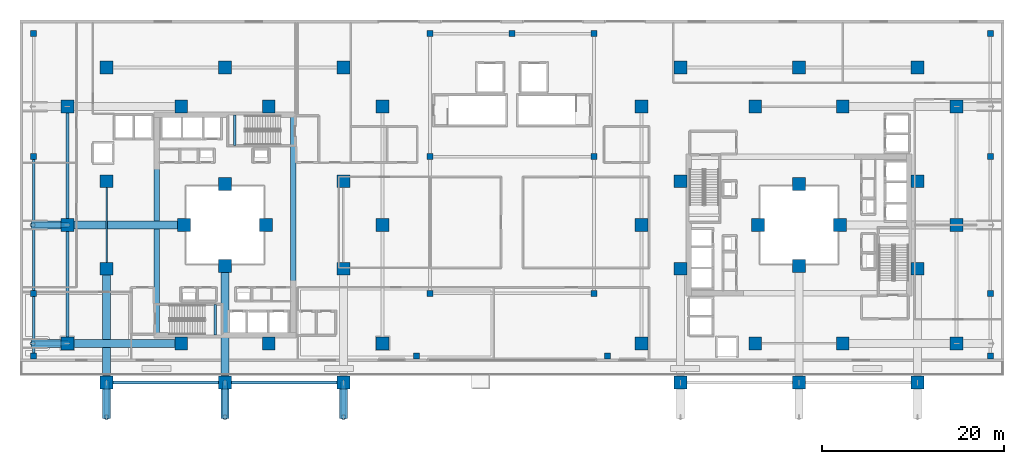
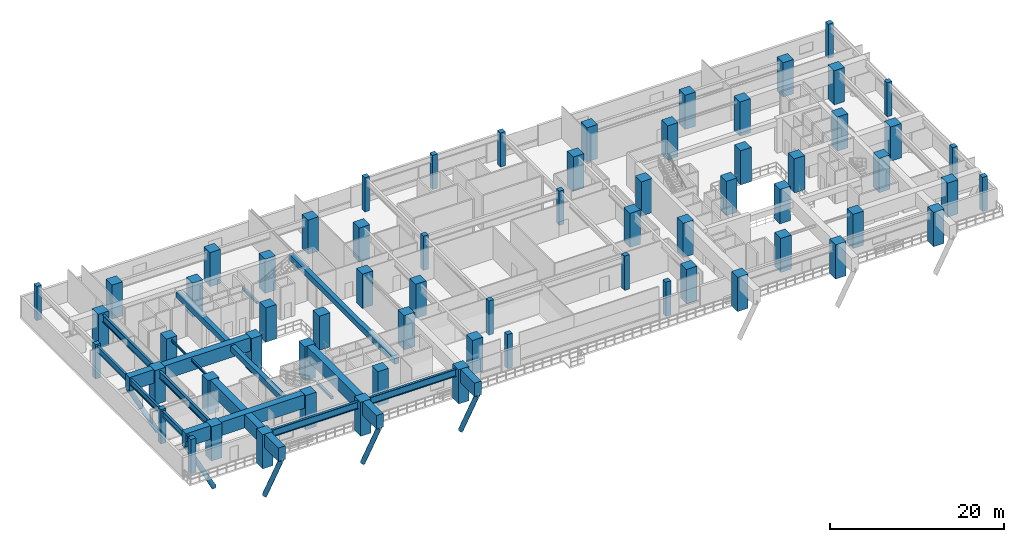
# One storey, part 1 of 25: 65 columns, 20 beams, 5 members.
"""IFC4 building model written with IfcOpenShell, lengths in metres."""

from ifc_helpers import new_model, si_unit, direction, frame, origin, origin_2d, place, context, subcontext, project, spatial, rectangle, hollow_circle, i_section, extrude, material, material_profile, profile_set, type_object, element, save


model = new_model("IFC4")

# Units and contexts
model_context = context("Model", 3, precision=1e-05, world=origin(), true_north=direction((0.0, 1.0)))
body_context = subcontext(model_context, "Body", "Model", "MODEL_VIEW")
ifc_project = project(units=[si_unit("LENGTHUNIT", "METRE"), si_unit("AREAUNIT", "SQUARE_METRE"), si_unit("VOLUMEUNIT", "CUBIC_METRE"), si_unit("PLANEANGLEUNIT", "RADIAN"), si_unit("MASSUNIT", "GRAM", prefix="KILO")], contexts=[model_context])

# Site, building, storey
site_placement = place(None, origin())
site = spatial("IfcSite", under=ifc_project, at=site_placement, CompositionType="ELEMENT")
building_placement = place(site_placement, origin())
building = spatial("IfcBuilding", under=site, at=building_placement, Name="Thornwick Lancets Civic Towers", CompositionType="ELEMENT")
storey_placement = place(building_placement, frame((0.0, 0.0, 23.10009765625)))
storey = spatial("IfcBuildingStorey", under=building, at=storey_placement, Name="L05", CompositionType="ELEMENT", Elevation=23.10009765625)

# Columns
ifc_material_1 = material(Name="Concrete C60/75", Category="concrete")
ifc_material_profile_1 = material_profile(ifc_material_1, rectangle(XDim=1.39990234375, YDim=1.39990234375, at=origin_2d()), Name="RC 1400x1400")
ifc_profile_set_1 = profile_set([ifc_material_profile_1], Name="Concrete C60/75")
column_type_1 = type_object("IfcColumnType", Name="COL_RC_1400", PredefinedType="COLUMN", material=ifc_profile_set_1)
for number, where, z_axis, x_axis, name in (
    (1, (12.5, 9.699951171875, 0.0), (0.0, 0.0, 1.0), (1.0, 0.0, 0.0), "L05 Spine Mega-Column A01"),
    (2, (25.5, 9.699951171875, 0.0), (0.0, 0.0, 1.0), (1.0, 0.0, 0.0), "L05 Spine Mega-Column A02"),
    (3, (38.5, 9.699951171875, 0.0), (0.0, 0.0, 1.0), (1.0, 0.0, 0.0), "L05 Spine Mega-Column A03"),
    (4, (42.800048828125, 14.0, 0.0), (0.0, 0.0, 1.0), (1.0, 0.0, 0.0), "L05 Spine Mega-Column A04"),
    (5, (42.800048828125, 27.0, 0.0), (0.0, 0.0, 1.0), (1.0, 0.0, 0.0), "L05 Spine Mega-Column A05"),
    (6, (42.800048828125, 40.0, 0.0), (0.0, 0.0, 1.0), (1.0, 0.0, 0.0), "L05 Spine Mega-Column A06"),
    (7, (12.5, 44.300048828125, 0.0), (0.0, 0.0, 1.0), (1.0, 0.0, 0.0), "L05 Spine Mega-Column A07"),
    (8, (25.5, 44.300048828125, 0.0), (0.0, 0.0, 1.0), (1.0, 0.0, 0.0), "L05 Spine Mega-Column A08"),
    (9, (38.5, 44.300048828125, 0.0), (0.0, 0.0, 1.0), (1.0, 0.0, 0.0), "L05 Spine Mega-Column A09"),
    (10, (8.199951171875, 14.0, 0.0), (0.0, 0.0, 1.0), (1.0, 0.0, 0.0), "L05 Spine Mega-Column A10"),
    (11, (8.199951171875, 27.0, 0.0), (0.0, 0.0, 1.0), (1.0, 0.0, 0.0), "L05 Spine Mega-Column A11"),
    (12, (8.199951171875, 40.0, 0.0), (0.0, 0.0, 1.0), (1.0, 0.0, 0.0), "L05 Spine Mega-Column A12"),
    (13, (12.5, 22.199951171875, 0.0), (0.0, 0.0, 1.0), (1.0, 0.0, 0.0), "L05 Spine Mega-Column A13"),
    (14, (38.5, 22.199951171875, 0.0), (0.0, 0.0, 1.0), (1.0, 0.0, 0.0), "L05 Spine Mega-Column A14"),
    (15, (12.5, 31.800048828125, 0.0), (0.0, 0.0, 1.0), (1.0, 0.0, 0.0), "L05 Spine Mega-Column A15"),
    (16, (38.5, 31.800048828125, 0.0), (0.0, 0.0, 1.0), (1.0, 0.0, 0.0), "L05 Spine Mega-Column A16"),
    (17, (20.699951171875, 14.0, 0.0), (0.0, 0.0, 1.0), (1.0, 0.0, 0.0), "L05 Spine Mega-Column A17"),
    (18, (30.300048828125, 14.0, 0.0), (0.0, 0.0, 1.0), (1.0, 0.0, 0.0), "L05 Spine Mega-Column A18"),
    (19, (20.699951171875, 40.0, 0.0), (0.0, 0.0, 1.0), (1.0, 0.0, 0.0), "L05 Spine Mega-Column A19"),
    (20, (30.300048828125, 40.0, 0.0), (0.0, 0.0, 1.0), (1.0, 0.0, 0.0), "L05 Spine Mega-Column A20"),
    (21, (25.5, 22.5, 0.0), (0.0, 0.0, 1.0), (1.0, 0.0, 0.0), "L05 Spine Mega-Column A21"),
    (22, (25.5, 31.5, 0.0), (0.0, 0.0, 1.0), (1.0, 0.0, 0.0), "L05 Spine Mega-Column A22"),
    (23, (21.0, 27.0, 0.0), (0.0, 0.0, 1.0), (1.0, 0.0, 0.0), "L05 Spine Mega-Column A23"),
    (24, (30.0, 27.0, 0.0), (0.0, 0.0, 1.0), (1.0, 0.0, 0.0), "L05 Spine Mega-Column A24"),
    (25, (105.800048828125, 14.0, 0.0), (0.0, 0.0, 1.0), (1.0, 0.0, 0.0), "L05 Spine Mega-Column B01"),
    (26, (105.800048828125, 27.0, 0.0), (0.0, 0.0, 1.0), (1.0, 0.0, 0.0), "L05 Spine Mega-Column B02"),
    (27, (105.800048828125, 40.0, 0.0), (0.0, 0.0, 1.0), (1.0, 0.0, 0.0), "L05 Spine Mega-Column B03"),
    (28, (101.5, 44.300048828125, 0.0), (0.0, 0.0, 1.0), (1.0, 0.0, 0.0), "L05 Spine Mega-Column B04"),
    (29, (88.5, 44.300048828125, 0.0), (0.0, 0.0, 1.0), (1.0, 0.0, 0.0), "L05 Spine Mega-Column B05"),
    (30, (75.5, 44.300048828125, 0.0), (0.0, 0.0, 1.0), (1.0, 0.0, 0.0), "L05 Spine Mega-Column B06"),
    (31, (71.199951171875, 14.0, 0.0), (0.0, 0.0, 1.0), (1.0, 0.0, 0.0), "L05 Spine Mega-Column B07"),
    (32, (71.199951171875, 27.0, 0.0), (0.0, 0.0, 1.0), (1.0, 0.0, 0.0), "L05 Spine Mega-Column B08"),
    (33, (71.199951171875, 40.0, 0.0), (0.0, 0.0, 1.0), (1.0, 0.0, 0.0), "L05 Spine Mega-Column B09"),
    (34, (101.5, 9.699951171875, 0.0), (0.0, 0.0, 1.0), (1.0, 0.0, 0.0), "L05 Spine Mega-Column B10"),
    (35, (88.5, 9.699951171875, 0.0), (0.0, 0.0, 1.0), (1.0, 0.0, 0.0), "L05 Spine Mega-Column B11"),
    (36, (75.5, 9.699951171875, 0.0), (0.0, 0.0, 1.0), (1.0, 0.0, 0.0), "L05 Spine Mega-Column B12"),
    (37, (93.300048828125, 14.0, 0.0), (0.0, 0.0, 1.0), (1.0, 0.0, 0.0), "L05 Spine Mega-Column B13"),
    (38, (93.300048828125, 40.0, 0.0), (0.0, 0.0, 1.0), (1.0, 0.0, 0.0), "L05 Spine Mega-Column B14"),
    (39, (83.699951171875, 14.0, 0.0), (0.0, 0.0, 1.0), (1.0, 0.0, 0.0), "L05 Spine Mega-Column B15"),
    (40, (83.699951171875, 40.0, 0.0), (0.0, 0.0, 1.0), (1.0, 0.0, 0.0), "L05 Spine Mega-Column B16"),
    (41, (101.5, 22.199951171875, 0.0), (0.0, 0.0, 1.0), (1.0, 0.0, 0.0), "L05 Spine Mega-Column B17"),
    (42, (101.5, 31.800048828125, 0.0), (0.0, 0.0, 1.0), (1.0, 0.0, 0.0), "L05 Spine Mega-Column B18"),
    (43, (75.5, 22.199951171875, 0.0), (0.0, 0.0, 1.0), (1.0, 0.0, 0.0), "L05 Spine Mega-Column B19"),
    (44, (75.5, 31.800048828125, 0.0), (0.0, 0.0, 1.0), (1.0, 0.0, 0.0), "L05 Spine Mega-Column B20"),
    (45, (93.0, 27.0, 0.0), (0.0, 0.0, 1.0), (1.0, 0.0, 0.0), "L05 Spine Mega-Column B21"),
    (46, (84.0, 27.0, 0.0), (0.0, 0.0, 1.0), (1.0, 0.0, 0.0), "L05 Spine Mega-Column B22"),
    (47, (88.5, 22.5, 0.0), (0.0, 0.0, 1.0), (1.0, 0.0, 0.0), "L05 Spine Mega-Column B23"),
    (48, (88.5, 31.5, 0.0), (0.0, 0.0, 1.0), (1.0, 0.0, 0.0), "L05 Spine Mega-Column B24"),
):
    element("IfcColumn", number, at=place(storey_placement, frame(where, z_axis=z_axis, x_axis=x_axis)), inside=storey, type_object=column_type_1, Name=name, PredefinedType="COLUMN", context=body_context, shape_type="SweptSolid", body=[
        extrude(rectangle(XDim=1.39990234375, YDim=1.39990234375, at=origin_2d()), origin(), (0.0, 0.0, 1.0), 4.7998046875),
    ])
ifc_material_2 = material(Name="Concrete C40/50", Category="concrete")
ifc_material_profile_2 = material_profile(ifc_material_2, rectangle(XDim=0.64990234375, YDim=0.64990234375, at=origin_2d()), Name="RC 650x650")
ifc_profile_set_2 = profile_set([ifc_material_profile_2], Name="Concrete C40/50")
column_type_2 = type_object("IfcColumnType", Name="COL_RC_650", PredefinedType="COLUMN", material=ifc_profile_set_2)
for number, where, z_axis, x_axis, name in (
    (49, (4.5, 12.60009765625, 0.0), (0.0, 0.0, 1.0), (1.0, 0.0, 0.0), "L05 Podium Column P07"),
    (50, (46.5, 12.60009765625, 0.0), (0.0, 0.0, 1.0), (1.0, 0.0, 0.0), "L05 Podium Column P08"),
    (51, (67.5, 12.60009765625, 0.0), (0.0, 0.0, 1.0), (1.0, 0.0, 0.0), "L05 Podium Column P09"),
    (52, (109.5, 12.60009765625, 0.0), (0.0, 0.0, 1.0), (1.0, 0.0, 0.0), "L05 Podium Column P10"),
    (53, (4.5, 19.5, 0.0), (0.0, 0.0, 1.0), (1.0, 0.0, 0.0), "L05 Podium Column P11"),
    (54, (4.5, 34.5, 0.0), (0.0, 0.0, 1.0), (1.0, 0.0, 0.0), "L05 Podium Column P12"),
    (55, (4.5, 48.0, 0.0), (0.0, 0.0, 1.0), (1.0, 0.0, 0.0), "L05 Podium Column P13"),
    (56, (48.0, 19.5, 0.0), (0.0, 0.0, 1.0), (1.0, 0.0, 0.0), "L05 Podium Column P14"),
    (57, (66.0, 19.5, 0.0), (0.0, 0.0, 1.0), (1.0, 0.0, 0.0), "L05 Podium Column P15"),
    (58, (48.0, 34.5, 0.0), (0.0, 0.0, 1.0), (1.0, 0.0, 0.0), "L05 Podium Column P16"),
    (59, (66.0, 34.5, 0.0), (0.0, 0.0, 1.0), (1.0, 0.0, 0.0), "L05 Podium Column P17"),
    (60, (48.0, 48.0, 0.0), (0.0, 0.0, 1.0), (1.0, 0.0, 0.0), "L05 Podium Column P18"),
    (61, (57.0, 48.0, 0.0), (0.0, 0.0, 1.0), (1.0, 0.0, 0.0), "L05 Podium Column P19"),
    (62, (66.0, 48.0, 0.0), (0.0, 0.0, 1.0), (1.0, 0.0, 0.0), "L05 Podium Column P20"),
    (63, (109.5, 19.5, 0.0), (0.0, 0.0, 1.0), (1.0, 0.0, 0.0), "L05 Podium Column P21"),
    (64, (109.5, 34.5, 0.0), (0.0, 0.0, 1.0), (1.0, 0.0, 0.0), "L05 Podium Column P22"),
    (65, (109.5, 48.0, 0.0), (0.0, 0.0, 1.0), (1.0, 0.0, 0.0), "L05 Podium Column P23"),
):
    element("IfcColumn", number, at=place(storey_placement, frame(where, z_axis=z_axis, x_axis=x_axis)), inside=storey, type_object=column_type_2, Name=name, PredefinedType="COLUMN", context=body_context, shape_type="SweptSolid", body=[
        extrude(rectangle(XDim=0.64990234375, YDim=0.64990234375, at=origin_2d()), origin(), (0.0, 0.0, 1.0), 4.7998046875),
    ])

# Beams
ifc_material_profile_3 = material_profile(ifc_material_1, rectangle(XDim=0.60009765625, YDim=0.800048828125, at=origin_2d()), Name="RC 600x800")
ifc_profile_set_3 = profile_set([ifc_material_profile_3], Name="Concrete C60/75")
beam_type_1 = type_object("IfcBeamType", Name="BM_COUP_RC800", PredefinedType="BEAM", material=ifc_profile_set_3)
for number, where, z_axis, x_axis, name in (
    (66, (33.0, 14.89990234375, 4.159912109375), (0.0, 1.0, 0.0), (-1.0, 0.0, 0.0), "CB-L05-A1"),
    (67, (18.0, 14.89990234375, 4.159912109375), (0.0, 1.0, 0.0), (-1.0, 0.0, 0.0), "CB-L05-A2"),
):
    element("IfcBeam", number, at=place(storey_placement, frame(where, z_axis=z_axis, x_axis=x_axis)), inside=storey, type_object=beam_type_1, Name=name, PredefinedType="BEAM", context=body_context, shape_type="SweptSolid", body=[
        extrude(rectangle(XDim=0.60009765625, YDim=0.800048828125, at=origin_2d()), origin(), (0.0, 0.0, 1.0), 24.2001953125),
    ])
ifc_material_3 = material(Name="Steel S355JR", Category="steel")
ifc_material_profile_4 = material_profile(ifc_material_3, i_section(OverallWidth=0.1669921875, OverallDepth=0.310302734375, WebThickness=0.0078125, FlangeThickness=0.013671875, FilletRadius=0.0087890625, at=origin_2d()), Name="UKB 305x165x54")
ifc_profile_set_4 = profile_set([ifc_material_profile_4], Name="Steel S355JR")
beam_type_2 = type_object("IfcBeamType", Name="BM_LINTEL_305_54", PredefinedType="LINTEL", material=ifc_profile_set_4)
beam_1_placement = place(storey_placement, frame((12.5, 22.280029296875, 4.40478515625), z_axis=(0.0, 1.0, 0.0), x_axis=(-1.0, 0.0, 0.0)))
element("IfcBeam", 68, at=beam_1_placement, inside=storey, type_object=beam_type_2, Name="BM-INSP-L05-A-0-2", PredefinedType="LINTEL", context=body_context, shape_type="SweptSolid", body=[
    extrude(i_section(OverallWidth=0.1669921875, OverallDepth=0.310302734375, WebThickness=0.0078125, FlangeThickness=0.013671875, FilletRadius=0.0087890625, at=origin_2d()), origin(), (0.0, 0.0, 1.0), 9.52001953125),
])
ifc_material_profile_5 = material_profile(ifc_material_3, i_section(OverallWidth=0.293701171875, OverallDepth=0.850830078125, WebThickness=0.01611328125, FlangeThickness=0.02685546875, FilletRadius=0.017822265625, at=origin_2d()), Name="UKB 838x292x226")
ifc_profile_set_5 = profile_set([ifc_material_profile_5], Name="Steel S355JR")
beam_type_3 = type_object("IfcBeamType", Name="BM_POD_838_226", PredefinedType="BEAM", material=ifc_profile_set_5)
beam_2_placement = place(storey_placement, frame((4.5, 12.60009765625, 4.134521484375), z_axis=(0.0, 1.0, 0.0), x_axis=(-1.0, 0.0, 0.0)))
element("IfcBeam", 69, at=beam_2_placement, inside=storey, type_object=beam_type_3, Name="BM-PODG-L05-0-4", PredefinedType="BEAM", context=body_context, shape_type="SweptSolid", body=[
    extrude(i_section(OverallWidth=0.293701171875, OverallDepth=0.850830078125, WebThickness=0.01611328125, FlangeThickness=0.02685546875, FilletRadius=0.017822265625, at=origin_2d()), origin(), (0.0, 0.0, 1.0), 6.89990234375),
])
beam_3_placement = place(storey_placement, frame((4.5, 19.580078125, 4.134521484375), z_axis=(0.0, 1.0, 0.0), x_axis=(-1.0, 0.0, 0.0)))
element("IfcBeam", 70, at=beam_3_placement, inside=storey, type_object=beam_type_3, Name="BM-PODG-L05-4-5", PredefinedType="BEAM", context=body_context, shape_type="SweptSolid", body=[
    extrude(i_section(OverallWidth=0.293701171875, OverallDepth=0.850830078125, WebThickness=0.01611328125, FlangeThickness=0.02685546875, FilletRadius=0.017822265625, at=origin_2d()), origin(), (0.0, 0.0, 1.0), 14.919921875),
])
ifc_material_profile_6 = material_profile(ifc_material_2, rectangle(XDim=0.300048828125, YDim=0.35009765625, at=origin_2d()), Name="RC 300x350")
ifc_profile_set_6 = profile_set([ifc_material_profile_6], Name="Concrete C40/50")
beam_type_4 = type_object("IfcBeamType", Name="BM_STAIR_LDG", PredefinedType="BEAM", material=ifc_profile_set_6)
for number, where, z_axis, x_axis, name in (
    (71, (24.43505859375, 14.89990234375, 1.977783203125), (0.0, 1.0, 0.0), (-1.0, 0.0, 0.0), "L05 ST-A1 Landing Support Beam 1"),
    (72, (26.56494140625, 39.10009765625, 1.977783203125), (0.0, -1.0, 0.0), (1.0, 0.0, 0.0), "L05 ST-A2 Landing Support Beam 1"),
):
    element("IfcBeam", number, at=place(storey_placement, frame(where, z_axis=z_axis, x_axis=x_axis)), inside=storey, type_object=beam_type_4, Name=name, PredefinedType="BEAM", context=body_context, shape_type="SweptSolid", body=[
        extrude(rectangle(XDim=0.300048828125, YDim=0.35009765625, at=origin_2d()), origin(), (0.0, 0.0, 1.0), 3.400146484375),
    ])
ifc_material_4 = material(Name="Steel S460M", Category="steel")
ifc_material_profile_7 = material_profile(ifc_material_4, i_section(OverallWidth=0.305419921875, OverallDepth=1.02587890625, WebThickness=0.02685546875, FlangeThickness=0.0458984375, FilletRadius=0.030029296875, at=origin_2d()), Name="UKB 1016x305x437")
ifc_profile_set_7 = profile_set([ifc_material_profile_7], Name="Steel S460M")
beam_type_5 = type_object("IfcBeamType", Name="BM_TR_1016_437", PredefinedType="BEAM", material=ifc_profile_set_7)
beam_4_placement = place(storey_placement, frame((12.5, 9.699951171875, 4.046875), z_axis=(1.0, 0.0, 0.0), x_axis=(0.0, 1.0, 0.0)))
element("IfcBeam", 73, at=beam_4_placement, inside=storey, type_object=beam_type_5, Name="BM-SPINE-L05-A-0-1", PredefinedType="BEAM", context=body_context, shape_type="SweptSolid", body=[
    extrude(i_section(OverallWidth=0.305419921875, OverallDepth=1.02587890625, WebThickness=0.02685546875, FlangeThickness=0.0458984375, FilletRadius=0.030029296875, at=origin_2d()), origin(), (0.0, 0.0, 1.0), 13.0),
])
beam_5_placement = place(storey_placement, frame((25.580078125, 9.699951171875, 4.046875), z_axis=(1.0, 0.0, 0.0), x_axis=(0.0, 1.0, 0.0)))
element("IfcBeam", 74, at=beam_5_placement, inside=storey, type_object=beam_type_5, Name="BM-SPINE-L05-A-1-2", PredefinedType="BEAM", context=body_context, shape_type="SweptSolid", body=[
    extrude(i_section(OverallWidth=0.305419921875, OverallDepth=1.02587890625, WebThickness=0.02685546875, FlangeThickness=0.0458984375, FilletRadius=0.030029296875, at=origin_2d()), origin(), (0.0, 0.0, 1.0), 12.919921875),
])
beam_6_placement = place(storey_placement, frame((8.199951171875, 14.0, 4.046875), z_axis=(0.0, 1.0, 0.0), x_axis=(-1.0, 0.0, 0.0)))
element("IfcBeam", 75, at=beam_6_placement, inside=storey, type_object=beam_type_5, Name="BM-SPINE-L05-A-9-10", PredefinedType="BEAM", context=body_context, shape_type="SweptSolid", body=[
    extrude(i_section(OverallWidth=0.305419921875, OverallDepth=1.02587890625, WebThickness=0.02685546875, FlangeThickness=0.0458984375, FilletRadius=0.030029296875, at=origin_2d()), origin(), (0.0, 0.0, 1.0), 13.0),
])
beam_7_placement = place(storey_placement, frame((8.199951171875, 27.080078125, 4.046875), z_axis=(0.0, 1.0, 0.0), x_axis=(-1.0, 0.0, 0.0)))
element("IfcBeam", 76, at=beam_7_placement, inside=storey, type_object=beam_type_5, Name="BM-SPINE-L05-A-10-11", PredefinedType="BEAM", context=body_context, shape_type="SweptSolid", body=[
    extrude(i_section(OverallWidth=0.305419921875, OverallDepth=1.02587890625, WebThickness=0.02685546875, FlangeThickness=0.0458984375, FilletRadius=0.030029296875, at=origin_2d()), origin(), (0.0, 0.0, 1.0), 12.919921875),
])
ifc_material_profile_8 = material_profile(ifc_material_1, rectangle(XDim=0.89990234375, YDim=1.89990234375, at=origin_2d()), Name="RC 900x1900")
ifc_profile_set_8 = profile_set([ifc_material_profile_8], Name="Concrete C60/75")
beam_type_6 = type_object("IfcBeamType", Name="BM_TR_RC1900", PredefinedType="BEAM", material=ifc_profile_set_8)
beam_8_placement = place(storey_placement, frame((12.5, 22.199951171875, 3.849853515625), z_axis=(0.0, -1.0, 0.0), x_axis=(1.0, 0.0, 0.0)))
element("IfcBeam", 77, at=beam_8_placement, inside=storey, type_object=beam_type_6, Name="TG-BACK-L06-A01", PredefinedType="BEAM", context=body_context, shape_type="SweptSolid", body=[
    extrude(rectangle(XDim=0.89990234375, YDim=1.89990234375, at=origin_2d()), origin(), (0.0, 0.0, 1.0), 12.5),
])
beam_9_placement = place(storey_placement, frame((12.5, 9.699951171875, 3.849853515625), z_axis=(0.0, -1.0, 0.0), x_axis=(1.0, 0.0, 0.0)))
element("IfcBeam", 78, at=beam_9_placement, inside=storey, type_object=beam_type_6, Name="TG-CANT-L06-A01", PredefinedType="BEAM", context=body_context, shape_type="SweptSolid", body=[
    extrude(rectangle(XDim=0.89990234375, YDim=1.89990234375, at=origin_2d()), origin(), (0.0, 0.0, 1.0), 3.919921875),
])
beam_10_placement = place(storey_placement, frame((25.5, 22.5, 3.849853515625), z_axis=(0.0, -1.0, 0.0), x_axis=(1.0, 0.0, 0.0)))
element("IfcBeam", 79, at=beam_10_placement, inside=storey, type_object=beam_type_6, Name="TG-BACK-L06-A02", PredefinedType="BEAM", context=body_context, shape_type="SweptSolid", body=[
    extrude(rectangle(XDim=0.89990234375, YDim=1.89990234375, at=origin_2d()), origin(), (0.0, 0.0, 1.0), 12.800048828125),
])
for number, where, z_axis, x_axis, name in (
    (80, (25.5, 9.699951171875, 3.849853515625), (0.0, -1.0, 0.0), (1.0, 0.0, 0.0), "TG-CANT-L06-A02"),
    (81, (38.5, 9.699951171875, 3.849853515625), (0.0, -1.0, 0.0), (1.0, 0.0, 0.0), "TG-CANT-L06-A03"),
):
    element("IfcBeam", number, at=place(storey_placement, frame(where, z_axis=z_axis, x_axis=x_axis)), inside=storey, type_object=beam_type_6, Name=name, PredefinedType="BEAM", context=body_context, shape_type="SweptSolid", body=[
        extrude(rectangle(XDim=0.89990234375, YDim=1.89990234375, at=origin_2d()), origin(), (0.0, 0.0, 1.0), 3.919921875),
    ])
beam_11_placement = place(storey_placement, frame((20.699951171875, 14.0, 3.849853515625), z_axis=(-1.0, 0.0, 0.0), x_axis=(0.0, -1.0, 0.0)))
element("IfcBeam", 82, at=beam_11_placement, inside=storey, type_object=beam_type_6, Name="TG-BACK-L06-A10", PredefinedType="BEAM", context=body_context, shape_type="SweptSolid", body=[
    extrude(rectangle(XDim=0.89990234375, YDim=1.89990234375, at=origin_2d()), origin(), (0.0, 0.0, 1.0), 12.5),
])
beam_12_placement = place(storey_placement, frame((8.199951171875, 14.0, 3.849853515625), z_axis=(-1.0, 0.0, 0.0), x_axis=(0.0, -1.0, 0.0)))
element("IfcBeam", 83, at=beam_12_placement, inside=storey, type_object=beam_type_6, Name="TG-CANT-L06-A10", PredefinedType="BEAM", context=body_context, shape_type="SweptSolid", body=[
    extrude(rectangle(XDim=0.89990234375, YDim=1.89990234375, at=origin_2d()), origin(), (0.0, 0.0, 1.0), 3.919921875),
])
beam_13_placement = place(storey_placement, frame((21.0, 27.0, 3.849853515625), z_axis=(-1.0, 0.0, 0.0), x_axis=(0.0, -1.0, 0.0)))
element("IfcBeam", 84, at=beam_13_placement, inside=storey, type_object=beam_type_6, Name="TG-BACK-L06-A11", PredefinedType="BEAM", context=body_context, shape_type="SweptSolid", body=[
    extrude(rectangle(XDim=0.89990234375, YDim=1.89990234375, at=origin_2d()), origin(), (0.0, 0.0, 1.0), 12.800048828125),
])
beam_14_placement = place(storey_placement, frame((8.199951171875, 27.0, 3.849853515625), z_axis=(-1.0, 0.0, 0.0), x_axis=(0.0, -1.0, 0.0)))
element("IfcBeam", 85, at=beam_14_placement, inside=storey, type_object=beam_type_6, Name="TG-CANT-L06-A11", PredefinedType="BEAM", context=body_context, shape_type="SweptSolid", body=[
    extrude(rectangle(XDim=0.89990234375, YDim=1.89990234375, at=origin_2d()), origin(), (0.0, 0.0, 1.0), 3.919921875),
])

# Members
ifc_material_profile_9 = material_profile(ifc_material_4, hollow_circle(Radius=0.304931640625, WallThickness=0.030029296875, at=origin_2d()), Name="CHS 610x30")
ifc_profile_set_9 = profile_set([ifc_material_profile_9], Name="Steel S460M")
member_type = type_object("IfcMemberType", Name="MEM_STRUT_CHS610", PredefinedType="STRUT", material=ifc_profile_set_9)
for number, where, z_axis, x_axis, name in (
    (86, (12.5, 9.699951171875, -4.25), (0.0, -0.465247425434, 0.885180678239), (1.0, 0.0, 0.0), "L06 Jenga Transfer Raking Strut A01"),
    (87, (25.5, 9.699951171875, -4.25), (0.0, -0.465247425434, 0.885180678239), (1.0, 0.0, 0.0), "L06 Jenga Transfer Raking Strut A02"),
    (88, (38.5, 9.699951171875, -4.25), (0.0, -0.465247425434, 0.885180678239), (1.0, 0.0, 0.0), "L06 Jenga Transfer Raking Strut A03"),
    (89, (8.199951171875, 14.0, -4.25), (-0.465247425434, 0.0, 0.885180678239), (0.0, -1.0, 0.0), "L06 Jenga Transfer Raking Strut A10"),
    (90, (8.199951171875, 27.0, -4.25), (-0.465247425434, 0.0, 0.885180678239), (0.0, -1.0, 0.0), "L06 Jenga Transfer Raking Strut A11"),
):
    element("IfcMember", number, at=place(storey_placement, frame(where, z_axis=z_axis, x_axis=x_axis)), inside=storey, type_object=member_type, Name=name, PredefinedType="STRUT", context=body_context, shape_type="SweptSolid", body=[
        extrude(hollow_circle(Radius=0.304931640625, WallThickness=0.030029296875, at=origin_2d()), origin(), (0.0, 0.0, 1.0), 8.167724609375),
    ])

save(model, "model.ifc")
